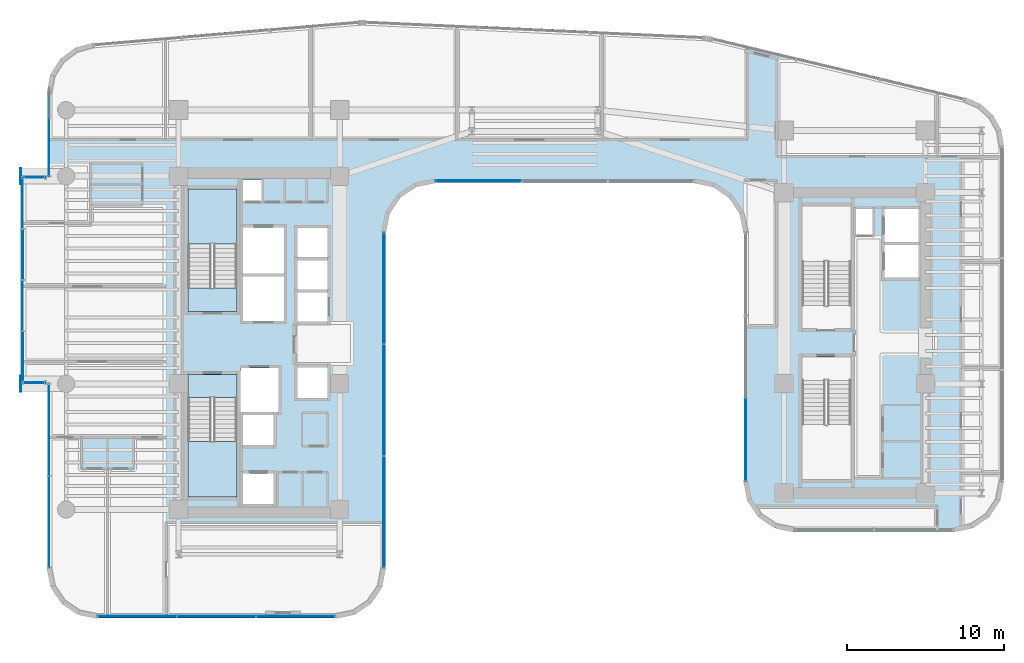
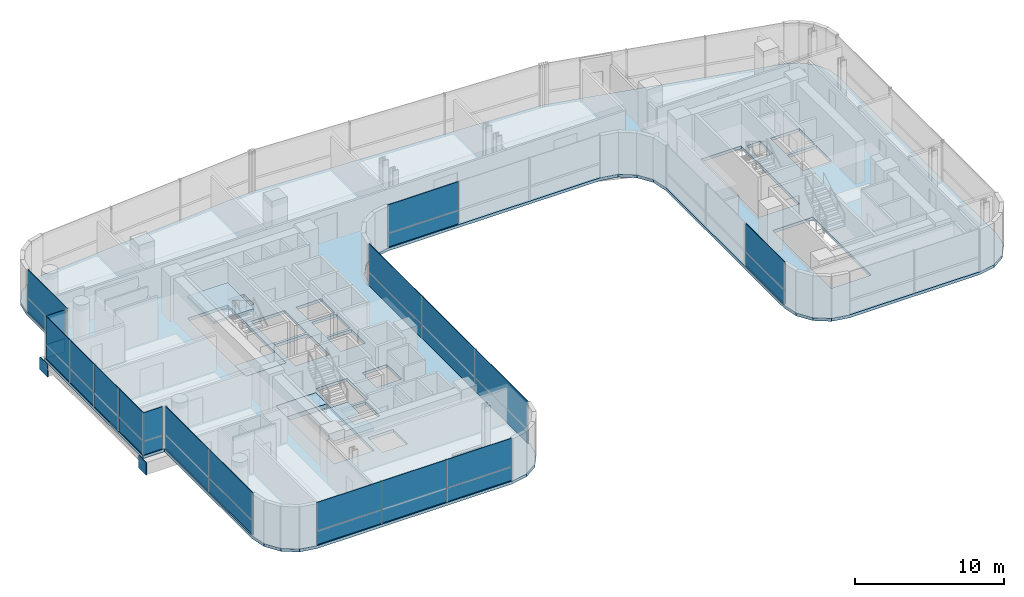
# One storey, part 24 of 35: 31 plates, 5 slabs, 11 elements without a shape of their own.
"""IFC4 building model written with IfcOpenShell, lengths in metres."""

from ifc_helpers import new_model, si_unit, direction, frame, origin, origin_2d, place, context, subcontext, project, spatial, polyline, rectangle, outline, extrude, source, transform, mapped, material, layer, layer_set, type_object, element, aggregate, save


model = new_model("IFC4")

# Units and contexts
model_context = context("Model", 3, precision=1e-05, world=origin(), true_north=direction((0.0, 1.0)))
body_context = subcontext(model_context, "Body", "Model", "MODEL_VIEW")
ifc_project = project(units=[si_unit("LENGTHUNIT", "METRE"), si_unit("AREAUNIT", "SQUARE_METRE"), si_unit("VOLUMEUNIT", "CUBIC_METRE"), si_unit("PLANEANGLEUNIT", "RADIAN"), si_unit("MASSUNIT", "GRAM", prefix="KILO")], contexts=[model_context])

# Site, building, storey
site_placement = place(None, origin())
site = spatial("IfcSite", under=ifc_project, at=site_placement, CompositionType="ELEMENT")
building_placement = place(site_placement, origin())
building = spatial("IfcBuilding", under=site, at=building_placement, Name="Valdorenza Pilgrim Sanctuary Tower", CompositionType="ELEMENT")
storey_placement = place(building_placement, frame((0.0, 0.0, 139.0)))
storey = spatial("IfcBuildingStorey", under=building, at=storey_placement, Name="L35", CompositionType="ELEMENT", Elevation=139.0)

# Slab
ifc_material_1 = material(Name="Concrete C40/50", Category="concrete")
ifc_layer_1 = layer(ifc_material_1, 0.239990234375, Name="Concrete C40/50")
ifc_layer_set_1 = layer_set([ifc_layer_1], Name="Concrete C40/50")
slab_type_1 = type_object("IfcSlabType", Name="SLAB-FLR-220", PredefinedType="FLOOR", material=ifc_layer_set_1)
slab_1_placement = place(storey_placement, frame((0.0, 0.0, -0.239990234375)))
element("IfcSlab", 1, at=slab_1_placement, inside=storey, type_object=slab_type_1, Name="L35 Structural Floor Slab 1", PredefinedType="FLOOR", context=body_context, shape_type="SweptSolid", body=[
    extrude(outline(polyline([(-30.78173828125, 17.022216796875), (-30.156494140625, 18.025390625), (-29.2099609375, 18.733154296875), (-28.071044921875, 19.049072265625), (-11.2080078125, 20.482421875), (-11.10400390625, 20.489501953125), (-10.895751953125, 20.49365234375), (10.6962890625, 19.513916015625), (10.847412109375, 19.50341796875), (10.998046875, 19.485595703125), (11.147705078125, 19.4609375), (11.2958984375, 19.42919921875), (27.344970703125, 15.587646484375), (28.323974609375, 15.17138671875), (29.1123046875, 14.45751953125), (29.623291015625, 13.5244140625), (29.800048828125, 12.4755859375), (29.800048828125, -8.800048828125), (29.556396484375, -10.024658203125), (28.86279296875, -11.062744140625), (27.82470703125, -11.75634765625), (26.60009765625, -12.0), (16.5, -12.0), (15.275390625, -11.75634765625), (14.2373046875, -11.062744140625), (13.543701171875, -10.024658203125), (13.300048828125, -8.800048828125), (13.300048828125, 7.0), (13.056396484375, 8.224609375), (12.36279296875, 9.2626953125), (11.32470703125, 9.956298828125), (10.10009765625, 10.199951171875), (-6.300048828125, 10.199951171875), (-7.524658203125, 9.956298828125), (-8.562744140625, 9.2626953125), (-9.25634765625, 8.224609375), (-9.5, 7.0), (-9.5, -14.300048828125), (-9.74365234375, -15.524658203125), (-10.437255859375, -16.562744140625), (-11.475341796875, -17.25634765625), (-12.699951171875, -17.5), (-27.800048828125, -17.5), (-29.024658203125, -17.25634765625), (-30.062744140625, -16.562744140625), (-30.75634765625, -15.524658203125), (-31.0, -14.300048828125), (-31.0, -2.60009765625), (-32.64990234375, -2.60009765625), (-32.64990234375, 10.60009765625), (-31.0, 10.60009765625), (-31.0, 15.860595703125), (-30.78173828125, 17.022216796875)]), holes=[polyline([(-16.60009765625, -10.25), (-16.60009765625, -8.300048828125), (-18.550048828125, -8.300048828125), (-18.550048828125, -10.25), (-16.60009765625, -10.25)]), polyline([(-22.050048828125, -9.800048828125), (-18.93994140625, -9.800048828125), (-18.93994140625, -3.485107421875), (-18.93994140625, -2.0), (-22.050048828125, -2.0), (-22.050048828125, -3.485107421875), (-22.050048828125, -9.800048828125)]), polyline([(-16.60009765625, -6.5), (-16.60009765625, -4.60009765625), (-18.550048828125, -4.60009765625), (-18.550048828125, -6.5), (-16.60009765625, -6.5)]), polyline([(-18.719970703125, -4.39990234375), (-16.300048828125, -4.39990234375), (-16.300048828125, -1.60009765625), (-18.719970703125, -1.60009765625), (-18.719970703125, -4.39990234375)]), polyline([(-13.179931640625, 1.35009765625), (-13.179931640625, 3.199951171875), (-15.10009765625, 3.199951171875), (-15.10009765625, 1.35009765625), (-13.179931640625, 1.35009765625)]), polyline([(-22.050048828125, 2.0), (-18.93994140625, 2.0), (-18.93994140625, 3.485107421875), (-18.93994140625, 9.800048828125), (-22.050048828125, 9.800048828125), (-22.050048828125, 3.485107421875), (-22.050048828125, 2.0)]), polyline([(-15.949951171875, 1.39990234375), (-15.949951171875, 4.22509765625), (-18.550048828125, 4.22509765625), (-18.550048828125, 1.39990234375), (-15.949951171875, 1.39990234375)]), polyline([(-18.550048828125, 4.425048828125), (-15.949951171875, 4.425048828125), (-15.949951171875, 7.35009765625), (-18.550048828125, 7.35009765625), (-18.550048828125, 4.425048828125)]), polyline([(-17.360107421875, 9.030029296875), (-17.360107421875, 10.35009765625), (-18.570068359375, 10.35009765625), (-18.570068359375, 9.030029296875), (-17.360107421875, 9.030029296875)]), polyline([(17.0, -8.699951171875), (20.110107421875, -8.699951171875), (20.110107421875, -2.385009765625), (20.110107421875, -0.89990234375), (17.0, -0.89990234375), (17.0, -2.385009765625), (17.0, -8.699951171875)]), polyline([(-13.179931640625, -3.5), (-13.179931640625, -1.550048828125), (-15.10009765625, -1.550048828125), (-15.10009765625, -3.5), (-13.179931640625, -3.5)]), polyline([(17.0, 0.89990234375), (20.110107421875, 0.89990234375), (20.110107421875, 2.385009765625), (20.110107421875, 8.699951171875), (17.0, 8.699951171875), (17.0, 2.385009765625), (17.0, 0.89990234375)]), polyline([(-13.179931640625, 3.39990234375), (-13.179931640625, 5.25), (-15.10009765625, 5.25), (-15.10009765625, 3.39990234375), (-13.179931640625, 3.39990234375)]), polyline([(22.25, 4.14990234375), (24.47998046875, 4.14990234375), (24.47998046875, 6.22509765625), (22.25, 6.22509765625), (22.25, 4.14990234375)]), polyline([(-13.179931640625, 5.449951171875), (-13.179931640625, 7.300048828125), (-15.10009765625, 7.300048828125), (-15.10009765625, 5.449951171875), (-13.179931640625, 5.449951171875)]), polyline([(22.25, 6.425048828125), (24.47998046875, 6.425048828125), (24.47998046875, 8.5), (22.25, 8.5), (22.25, 6.425048828125)]), polyline([(20.409912109375, 6.860107421875), (21.489990234375, 6.860107421875), (21.489990234375, 8.52001953125), (20.409912109375, 8.52001953125), (20.409912109375, 6.860107421875)])]), origin(), (0.0, 0.0, 1.0), 0.239990234375),
])

# Stair, slab
stair_type = type_object("IfcStairType", Name="STR-DOG-CORE", PredefinedType="HALF_TURN_STAIR", material=ifc_material_1)
stair_1_placement = place(storey_placement, origin())
stair_1 = element("IfcStair", 2, at=stair_1_placement, inside=storey, type_object=stair_type, Name="L35 ST-A1", PredefinedType="HALF_TURN_STAIR")
ifc_layer_2 = layer(ifc_material_1, 0.199951171875, Name="Concrete C40/50")
ifc_layer_set_2 = layer_set([ifc_layer_2], Name="Concrete C40/50")
slab_type_2 = type_object("IfcSlabType", Name="SLAB-STL-200", PredefinedType="LANDING", material=ifc_layer_set_2)
slab_2_placement = place(storey_placement, frame((0.0, 0.0, 1.64990234375)))
slab_2 = element("IfcSlab", 3, at=slab_2_placement, type_object=slab_type_2, Name="ST-A1 landing 1", PredefinedType="LANDING", context=body_context, shape_type="SweptSolid", body=[
    extrude(outline(polyline([(-18.93994140625, 6.280029296875), (-18.93994140625, 9.800048828125), (-22.050048828125, 9.800048828125), (-22.050048828125, 6.280029296875), (-18.93994140625, 6.280029296875)])), origin(), (0.0, 0.0, 1.0), 0.2001953125),
])
aggregate(stair_1, [slab_2])

stair_2_placement = place(storey_placement, origin())
stair_2 = element("IfcStair", 4, at=stair_2_placement, inside=storey, type_object=stair_type, Name="L35 ST-A2", PredefinedType="HALF_TURN_STAIR")
slab_3_placement = place(storey_placement, frame((0.0, 0.0, 1.64990234375)))
slab_3 = element("IfcSlab", 5, at=slab_3_placement, type_object=slab_type_2, Name="ST-A2 landing 1", PredefinedType="LANDING", context=body_context, shape_type="SweptSolid", body=[
    extrude(outline(polyline([(-22.050048828125, -6.280029296875), (-22.050048828125, -9.800048828125), (-18.93994140625, -9.800048828125), (-18.93994140625, -6.280029296875), (-22.050048828125, -6.280029296875)])), origin(), (0.0, 0.0, 1.0), 0.2001953125),
])
aggregate(stair_2, [slab_3])

# Slabs
ifc_material_2 = material(Name="Concrete C50/60", Category="concrete")
ifc_layer_3 = layer(ifc_material_2, 0.39990234375, Name="Concrete C50/60")
ifc_layer_set_3 = layer_set([ifc_layer_3], Name="Concrete C50/60")
slab_type_3 = type_object("IfcSlabType", Name="SLAB-TRF-400", PredefinedType="FLOOR", material=ifc_layer_set_3)
slab_4_placement = place(storey_placement, frame((0.0, 0.0, -0.360107421875)))
element("IfcSlab", 6, at=slab_4_placement, inside=storey, type_object=slab_type_3, Name="L35 ST-A1 Structural Stair Landing Bearing Slab", PredefinedType="FLOOR", context=body_context, shape_type="SweptSolid", body=[
    extrude(outline(polyline([(-22.050048828125, 2.0), (-18.93994140625, 2.0), (-18.93994140625, 3.485107421875), (-22.050048828125, 3.485107421875), (-22.050048828125, 2.0)])), origin(), (0.0, 0.0, 1.0), 0.360107421875),
])
slab_5_placement = place(storey_placement, frame((0.0, 0.0, -0.360107421875)))
element("IfcSlab", 7, at=slab_5_placement, inside=storey, type_object=slab_type_3, Name="L35 ST-A2 Structural Stair Landing Bearing Slab", PredefinedType="FLOOR", context=body_context, shape_type="SweptSolid", body=[
    extrude(outline(polyline([(-22.050048828125, -3.485107421875), (-18.93994140625, -3.485107421875), (-18.93994140625, -2.0), (-22.050048828125, -2.0), (-22.050048828125, -3.485107421875)])), origin(), (0.0, 0.0, 1.0), 0.360107421875),
])

# Plates
ifc_material_3 = material(Name="Steel ASTM A572 Grade 42", Category="steel")
ifc_layer_4 = layer(ifc_material_3, 0.06005859375, Name="Steel ASTM A572 Grade 42")
ifc_layer_set_4 = layer_set([ifc_layer_4], Name="Steel ASTM A572 Grade 42")
plate_type_1 = type_object("IfcPlateType", Name="PLT-CAP-60", PredefinedType="SHEET", material=ifc_layer_set_4)
shared_shape_1 = source(origin(), body_context, "Body", "SweptSolid", [
    extrude(rectangle(XDim=0.06005859375, YDim=1.0400390625, at=origin_2d()), origin(), (0.0, 0.0, 1.0), 1.0400390625),
])
for number, where, z_axis, x_axis, name in (
    (8, (-32.679931640625, 10.60009765625, -1.260009765625), (0.0, 0.0, 1.0), (1.0, 0.0, 0.0), "L35 BOX-WA-L35 Cantilever Tip End Cap N"),
    (9, (-32.679931640625, -2.60009765625, -1.260009765625), (0.0, 0.0, 1.0), (1.0, 0.0, 0.0), "L35 BOX-WA-L35 Cantilever Tip End Cap S"),
):
    element("IfcPlate", number, at=place(storey_placement, frame(where, z_axis=z_axis, x_axis=x_axis)), inside=storey, type_object=plate_type_1, Name=name, PredefinedType="SHEET", context=body_context, shape_type="MappedRepresentation", body=[
        mapped(shared_shape_1, transform((0.0, 0.0, 0.0), x_axis=(1.0, 0.0, 0.0), y_axis=(0.0, 1.0, 0.0), z_axis=(0.0, 0.0, 1.0), scale=1.0)),
    ])

# Curtain wall, plates
ifc_material_4 = material(Name="Curtain-wall IGU glazing", Category="glass")
curtain_wall_type_1 = type_object("IfcCurtainWallType", Name="CW-SYS-02", PredefinedType="NOTDEFINED", material=ifc_material_4)
curtain_wall_1_placement = place(storey_placement, origin())
curtain_wall_1 = element("IfcCurtainWall", 10, at=curtain_wall_1_placement, inside=storey, type_object=curtain_wall_type_1, Name="L35 Curtain Wall CW-L35-1-36", PredefinedType="NOTDEFINED")
ifc_material_5 = material(Name="Honed travertine limestone", Category="masonry")
ifc_layer_5 = layer(ifc_material_5, 0.050048828125, Name="Honed travertine limestone")
ifc_layer_set_5 = layer_set([ifc_layer_5], Name="Honed travertine limestone")
plate_type_2 = type_object("IfcPlateType", Name="CW-SPN-TRV", PredefinedType="USERDEFINED", material=ifc_layer_set_5)
shared_shape_2 = source(origin(), body_context, "Body", "SweptSolid", [
    extrude(rectangle(XDim=5.453857421875, YDim=0.06005859375, at=origin_2d()), origin(), (0.0, 0.0, 1.0), 1.10009765625),
])
plate_1_placement = place(storey_placement, frame((-3.573974609375, 10.31005859375, 0.010009765625), z_axis=(0.0, 0.0, 1.0), x_axis=(-1.0, 0.0, 0.0)))
plate_1 = element("IfcPlate", 11, at=plate_1_placement, type_object=plate_type_2, Name="CW-L35-1-36 Travertine Spandrel 3", ObjectType="SPANDREL", PredefinedType="USERDEFINED", context=body_context, shape_type="MappedRepresentation", body=[
    mapped(shared_shape_2, transform((0.0, 0.0, 0.0), x_axis=(1.0, 0.0, 0.0), y_axis=(0.0, 1.0, 0.0), z_axis=(0.0, 0.0, 1.0), scale=1.0)),
])
ifc_material_6 = material(Name="Ceramic-fritted low-E IGU glazing", Category="glass")
ifc_layer_6 = layer(ifc_material_6, 0.035888671875, Name="Ceramic-fritted low-E IGU glazing")
ifc_layer_set_6 = layer_set([ifc_layer_6], Name="Ceramic-fritted low-E IGU glazing")
plate_type_3 = type_object("IfcPlateType", Name="CW-GLZ-IGU", PredefinedType="USERDEFINED", material=ifc_layer_set_6)
shared_shape_3 = source(origin(), body_context, "Body", "SweptSolid", [
    extrude(rectangle(XDim=5.453857421875, YDim=0.050048828125, at=origin_2d()), origin(), (0.0, 0.0, 1.0), 2.320068359375),
])
plate_2_placement = place(storey_placement, frame((-3.573974609375, 10.31005859375, 1.1298828125), z_axis=(0.0, 0.0, 1.0), x_axis=(-1.0, 0.0, 0.0)))
plate_2 = element("IfcPlate", 12, at=plate_2_placement, type_object=plate_type_3, Name="CW-L35-1-36 Facade Panel 3", ObjectType="GLAZING", PredefinedType="USERDEFINED", context=body_context, shape_type="MappedRepresentation", body=[
    mapped(shared_shape_3, transform((0.0, 0.0, 0.0), x_axis=(1.0, 0.0, 0.0), y_axis=(0.0, 1.0, 0.0), z_axis=(0.0, 0.0, 1.0), scale=1.0)),
])
aggregate(curtain_wall_1, [plate_1, plate_2])

# Curtain wall, plate
curtain_wall_2_placement = place(storey_placement, origin())
curtain_wall_2 = element("IfcCurtainWall", 13, at=curtain_wall_2_placement, inside=storey, type_object=curtain_wall_type_1, Name="L35 Curtain Wall CW-L35-BOX-WA-L35-S", PredefinedType="NOTDEFINED")
shared_shape_4 = source(origin(), body_context, "Body", "SweptSolid", [
    extrude(rectangle(XDim=1.43994140625, YDim=0.06005859375, at=origin_2d()), origin(), (0.0, 0.0, 1.0), 1.10009765625),
])
plate_3_placement = place(storey_placement, frame((-31.840087890625, -2.52001953125, 0.010009765625), z_axis=(0.0, 0.0, 1.0), x_axis=(-1.0, 0.0, 0.0)))
plate_3 = element("IfcPlate", 14, at=plate_3_placement, type_object=plate_type_2, Name="CW-L35-BOX-WA-L35-S Travertine Spandrel 1", ObjectType="SPANDREL", PredefinedType="USERDEFINED", context=body_context, shape_type="MappedRepresentation", body=[
    mapped(shared_shape_4, transform((0.0, 0.0, 0.0), x_axis=(1.0, 0.0, 0.0), y_axis=(0.0, 1.0, 0.0), z_axis=(0.0, 0.0, 1.0), scale=1.0)),
])

curtain_wall_3_placement = place(storey_placement, origin())
curtain_wall_3 = element("IfcCurtainWall", 15, at=curtain_wall_3_placement, inside=storey, type_object=curtain_wall_type_1, Name="L35 Curtain Wall CW-L35-BOX-WA-L35-N", PredefinedType="NOTDEFINED")
plate_4_placement = place(storey_placement, frame((-31.840087890625, 10.52001953125, 0.010009765625), z_axis=(0.0, 0.0, 1.0), x_axis=(1.0, 0.0, 0.0)))
plate_4 = element("IfcPlate", 16, at=plate_4_placement, type_object=plate_type_2, Name="CW-L35-BOX-WA-L35-N Travertine Spandrel 1", ObjectType="SPANDREL", PredefinedType="USERDEFINED", context=body_context, shape_type="MappedRepresentation", body=[
    mapped(shared_shape_4, transform((0.0, 0.0, 0.0), x_axis=(1.0, 0.0, 0.0), y_axis=(0.0, 1.0, 0.0), z_axis=(0.0, 0.0, 1.0), scale=1.0)),
])

# Plate
shared_shape_5 = source(origin(), body_context, "Body", "SweptSolid", [
    extrude(rectangle(XDim=1.43994140625, YDim=0.050048828125, at=origin_2d()), origin(), (0.0, 0.0, 1.0), 2.320068359375),
])
plate_5_placement = place(storey_placement, frame((-31.840087890625, -2.52001953125, 1.1298828125), z_axis=(0.0, 0.0, 1.0), x_axis=(-1.0, 0.0, 0.0)))
plate_5 = element("IfcPlate", 17, at=plate_5_placement, type_object=plate_type_3, Name="CW-L35-BOX-WA-L35-S Facade Panel 1", ObjectType="GLAZING", PredefinedType="USERDEFINED", context=body_context, shape_type="MappedRepresentation", body=[
    mapped(shared_shape_5, transform((0.0, 0.0, 0.0), x_axis=(1.0, 0.0, 0.0), y_axis=(0.0, 1.0, 0.0), z_axis=(0.0, 0.0, 1.0), scale=1.0)),
])

aggregate(curtain_wall_2, [plate_3, plate_5])

plate_6_placement = place(storey_placement, frame((-31.840087890625, 10.52001953125, 1.1298828125), z_axis=(0.0, 0.0, 1.0), x_axis=(1.0, 0.0, 0.0)))
plate_6 = element("IfcPlate", 18, at=plate_6_placement, type_object=plate_type_3, Name="CW-L35-BOX-WA-L35-N Facade Panel 1", ObjectType="GLAZING", PredefinedType="USERDEFINED", context=body_context, shape_type="MappedRepresentation", body=[
    mapped(shared_shape_5, transform((0.0, 0.0, 0.0), x_axis=(1.0, 0.0, 0.0), y_axis=(0.0, 1.0, 0.0), z_axis=(0.0, 0.0, 1.0), scale=1.0)),
])

aggregate(curtain_wall_3, [plate_4, plate_6])

# Curtain wall, plates
curtain_wall_4_placement = place(storey_placement, origin())
curtain_wall_4 = element("IfcCurtainWall", 19, at=curtain_wall_4_placement, inside=storey, type_object=curtain_wall_type_1, Name="L35 Curtain Wall CW-L35-BOX-WA-L35-F", PredefinedType="NOTDEFINED")
shared_shape_6 = source(origin(), body_context, "Body", "SweptSolid", [
    extrude(rectangle(XDim=3.239990234375, YDim=0.06005859375, at=origin_2d()), origin(), (0.0, 0.0, 1.0), 1.10009765625),
])
plate_7_placement = place(storey_placement, frame((-32.570068359375, -0.889892578125, 0.010009765625), z_axis=(0.0, 0.0, 1.0), x_axis=(0.0, 1.0, 0.0)))
plate_7 = element("IfcPlate", 20, at=plate_7_placement, type_object=plate_type_2, Name="CW-L35-BOX-WA-L35-F Travertine Spandrel 1", ObjectType="SPANDREL", PredefinedType="USERDEFINED", context=body_context, shape_type="MappedRepresentation", body=[
    mapped(shared_shape_6, transform((0.0, 0.0, 0.0), x_axis=(1.0, 0.0, 0.0), y_axis=(0.0, 1.0, 0.0), z_axis=(0.0, 0.0, 1.0), scale=1.0)),
])
plate_8_placement = place(storey_placement, frame((-32.570068359375, 5.6298828125, 0.010009765625), z_axis=(0.0, 0.0, 1.0), x_axis=(0.0, 1.0, 0.0)))
plate_8 = element("IfcPlate", 21, at=plate_8_placement, type_object=plate_type_2, Name="CW-L35-BOX-WA-L35-F Travertine Spandrel 3", ObjectType="SPANDREL", PredefinedType="USERDEFINED", context=body_context, shape_type="MappedRepresentation", body=[
    mapped(shared_shape_6, transform((0.0, 0.0, 0.0), x_axis=(1.0, 0.0, 0.0), y_axis=(0.0, 1.0, 0.0), z_axis=(0.0, 0.0, 1.0), scale=1.0)),
])
shared_shape_7 = source(origin(), body_context, "Body", "SweptSolid", [
    extrude(rectangle(XDim=3.239990234375, YDim=0.050048828125, at=origin_2d()), origin(), (0.0, 0.0, 1.0), 2.320068359375),
])
plate_9_placement = place(storey_placement, frame((-32.570068359375, -0.889892578125, 1.1298828125), z_axis=(0.0, 0.0, 1.0), x_axis=(0.0, 1.0, 0.0)))
plate_9 = element("IfcPlate", 22, at=plate_9_placement, type_object=plate_type_3, Name="CW-L35-BOX-WA-L35-F Facade Panel 1", ObjectType="GLAZING", PredefinedType="USERDEFINED", context=body_context, shape_type="MappedRepresentation", body=[
    mapped(shared_shape_7, transform((0.0, 0.0, 0.0), x_axis=(1.0, 0.0, 0.0), y_axis=(0.0, 1.0, 0.0), z_axis=(0.0, 0.0, 1.0), scale=1.0)),
])
plate_10_placement = place(storey_placement, frame((-32.570068359375, 5.6298828125, 1.1298828125), z_axis=(0.0, 0.0, 1.0), x_axis=(0.0, 1.0, 0.0)))
plate_10 = element("IfcPlate", 23, at=plate_10_placement, type_object=plate_type_3, Name="CW-L35-BOX-WA-L35-F Facade Panel 3", ObjectType="GLAZING", PredefinedType="USERDEFINED", context=body_context, shape_type="MappedRepresentation", body=[
    mapped(shared_shape_7, transform((0.0, 0.0, 0.0), x_axis=(1.0, 0.0, 0.0), y_axis=(0.0, 1.0, 0.0), z_axis=(0.0, 0.0, 1.0), scale=1.0)),
])
shared_shape_8 = source(origin(), body_context, "Body", "SweptSolid", [
    extrude(rectangle(XDim=3.239990234375, YDim=0.050048828125, at=origin_2d()), origin(), (0.0, 0.0, 1.0), 3.43994140625),
])
plate_11_placement = place(storey_placement, frame((-32.570068359375, 2.3701171875, 0.010009765625), z_axis=(0.0, 0.0, 1.0), x_axis=(0.0, 1.0, 0.0)))
plate_11 = element("IfcPlate", 24, at=plate_11_placement, type_object=plate_type_3, Name="CW-L35-BOX-WA-L35-F Full-Height Facade Panel 2", ObjectType="GLAZING", PredefinedType="USERDEFINED", context=body_context, shape_type="MappedRepresentation", body=[
    mapped(shared_shape_8, transform((0.0, 0.0, 0.0), x_axis=(1.0, 0.0, 0.0), y_axis=(0.0, 1.0, 0.0), z_axis=(0.0, 0.0, 1.0), scale=1.0)),
])
plate_12_placement = place(storey_placement, frame((-32.570068359375, 8.889892578125, 0.010009765625), z_axis=(0.0, 0.0, 1.0), x_axis=(0.0, 1.0, 0.0)))
plate_12 = element("IfcPlate", 25, at=plate_12_placement, type_object=plate_type_3, Name="CW-L35-BOX-WA-L35-F Full-Height Facade Panel 4", ObjectType="GLAZING", PredefinedType="USERDEFINED", context=body_context, shape_type="MappedRepresentation", body=[
    mapped(shared_shape_8, transform((0.0, 0.0, 0.0), x_axis=(1.0, 0.0, 0.0), y_axis=(0.0, 1.0, 0.0), z_axis=(0.0, 0.0, 1.0), scale=1.0)),
])
aggregate(curtain_wall_4, [plate_7, plate_9, plate_11, plate_8, plate_10, plate_12])

# Curtain wall, plate
curtain_wall_type_2 = type_object("IfcCurtainWallType", Name="CW-SYS-03", PredefinedType="NOTDEFINED", material=ifc_material_4)
curtain_wall_5_placement = place(storey_placement, origin())
curtain_wall_5 = element("IfcCurtainWall", 26, at=curtain_wall_5_placement, inside=storey, type_object=curtain_wall_type_2, Name="L35 Curtain Wall CW-L35-1-31", PredefinedType="NOTDEFINED")
shared_shape_9 = source(origin(), body_context, "Body", "SweptSolid", [
    extrude(rectangle(XDim=5.24658203125, YDim=0.06005859375, at=origin_2d()), origin(), (0.0, 0.0, 1.0), 1.10009765625),
])
plate_13_placement = place(storey_placement, frame((13.409912109375, -6.156005859375, 0.010009765625), z_axis=(0.0, 0.0, 1.0), x_axis=(0.0, 1.0, 0.0)))
plate_13 = element("IfcPlate", 27, at=plate_13_placement, type_object=plate_type_2, Name="CW-L35-1-31 Travertine Spandrel 1", ObjectType="SPANDREL", PredefinedType="USERDEFINED", context=body_context, shape_type="MappedRepresentation", body=[
    mapped(shared_shape_9, transform((0.0, 0.0, 0.0), x_axis=(1.0, 0.0, 0.0), y_axis=(0.0, 1.0, 0.0), z_axis=(0.0, 0.0, 1.0), scale=1.0)),
])

# Curtain wall, plates
curtain_wall_6_placement = place(storey_placement, origin())
curtain_wall_6 = element("IfcCurtainWall", 28, at=curtain_wall_6_placement, inside=storey, type_object=curtain_wall_type_1, Name="L35 Curtain Wall CW-L35-1-41", PredefinedType="NOTDEFINED")
shared_shape_10 = source(origin(), body_context, "Body", "SweptSolid", [
    extrude(rectangle(XDim=7.080078125, YDim=0.06005859375, at=origin_2d()), origin(), (0.0, 0.0, 1.0), 1.10009765625),
])
plate_14_placement = place(storey_placement, frame((-9.610107421875, 3.460693359375, 0.010009765625), z_axis=(0.0, 0.0, 1.0), x_axis=(0.0, -1.0, 0.0)))
plate_14 = element("IfcPlate", 29, at=plate_14_placement, type_object=plate_type_2, Name="CW-L35-1-41 Travertine Spandrel 1", ObjectType="SPANDREL", PredefinedType="USERDEFINED", context=body_context, shape_type="MappedRepresentation", body=[
    mapped(shared_shape_10, transform((0.0, 0.0, 0.0), x_axis=(1.0, 0.0, 0.0), y_axis=(0.0, 1.0, 0.0), z_axis=(0.0, 0.0, 1.0), scale=1.0)),
])
plate_15_placement = place(storey_placement, frame((-9.610107421875, -10.7392578125, 0.010009765625), z_axis=(0.0, 0.0, 1.0), x_axis=(0.0, -1.0, 0.0)))
plate_15 = element("IfcPlate", 30, at=plate_15_placement, type_object=plate_type_2, Name="CW-L35-1-41 Travertine Spandrel 3", ObjectType="SPANDREL", PredefinedType="USERDEFINED", context=body_context, shape_type="MappedRepresentation", body=[
    mapped(shared_shape_10, transform((0.0, 0.0, 0.0), x_axis=(1.0, 0.0, 0.0), y_axis=(0.0, 1.0, 0.0), z_axis=(0.0, 0.0, 1.0), scale=1.0)),
])

curtain_wall_7_placement = place(storey_placement, origin())
curtain_wall_7 = element("IfcCurtainWall", 31, at=curtain_wall_7_placement, inside=storey, type_object=curtain_wall_type_1, Name="L35 Curtain Wall CW-L35-1-1S1", PredefinedType="NOTDEFINED")
shared_shape_11 = source(origin(), body_context, "Body", "SweptSolid", [
    extrude(rectangle(XDim=5.82470703125, YDim=0.06005859375, at=origin_2d()), origin(), (0.0, 0.0, 1.0), 1.10009765625),
])
plate_16_placement = place(storey_placement, frame((-30.889892578125, -11.366943359375, 0.010009765625), z_axis=(0.0, 0.0, 1.0), x_axis=(0.0, 1.0, 0.0)))
plate_16 = element("IfcPlate", 32, at=plate_16_placement, type_object=plate_type_2, Name="CW-L35-1-1S1 Travertine Spandrel 1", ObjectType="SPANDREL", PredefinedType="USERDEFINED", context=body_context, shape_type="MappedRepresentation", body=[
    mapped(shared_shape_11, transform((0.0, 0.0, 0.0), x_axis=(1.0, 0.0, 0.0), y_axis=(0.0, 1.0, 0.0), z_axis=(0.0, 0.0, 1.0), scale=1.0)),
])
shared_shape_12 = source(origin(), body_context, "Body", "SweptSolid", [
    extrude(rectangle(XDim=5.82470703125, YDim=0.050048828125, at=origin_2d()), origin(), (0.0, 0.0, 1.0), 2.320068359375),
])
plate_17_placement = place(storey_placement, frame((-30.889892578125, -11.366943359375, 1.1298828125), z_axis=(0.0, 0.0, 1.0), x_axis=(0.0, 1.0, 0.0)))
plate_17 = element("IfcPlate", 33, at=plate_17_placement, type_object=plate_type_3, Name="CW-L35-1-1S1 Facade Panel 1", ObjectType="GLAZING", PredefinedType="USERDEFINED", context=body_context, shape_type="MappedRepresentation", body=[
    mapped(shared_shape_12, transform((0.0, 0.0, 0.0), x_axis=(1.0, 0.0, 0.0), y_axis=(0.0, 1.0, 0.0), z_axis=(0.0, 0.0, 1.0), scale=1.0)),
])
shared_shape_13 = source(origin(), body_context, "Body", "SweptSolid", [
    extrude(rectangle(XDim=5.82470703125, YDim=0.050048828125, at=origin_2d()), origin(), (0.0, 0.0, 1.0), 3.43994140625),
])
plate_18_placement = place(storey_placement, frame((-30.889892578125, -5.522216796875, 0.010009765625), z_axis=(0.0, 0.0, 1.0), x_axis=(0.0, 1.0, 0.0)))
plate_18 = element("IfcPlate", 34, at=plate_18_placement, type_object=plate_type_3, Name="CW-L35-1-1S1 Full-Height Facade Panel 2", ObjectType="GLAZING", PredefinedType="USERDEFINED", context=body_context, shape_type="MappedRepresentation", body=[
    mapped(shared_shape_13, transform((0.0, 0.0, 0.0), x_axis=(1.0, 0.0, 0.0), y_axis=(0.0, 1.0, 0.0), z_axis=(0.0, 0.0, 1.0), scale=1.0)),
])
aggregate(curtain_wall_7, [plate_16, plate_17, plate_18])

curtain_wall_8_placement = place(storey_placement, origin())
curtain_wall_8 = element("IfcCurtainWall", 35, at=curtain_wall_8_placement, inside=storey, type_object=curtain_wall_type_1, Name="L35 Curtain Wall CW-L35-1-1S2", PredefinedType="NOTDEFINED")
shared_shape_14 = source(origin(), body_context, "Body", "SweptSolid", [
    extrude(rectangle(XDim=5.230224609375, YDim=0.06005859375, at=origin_2d()), origin(), (0.0, 0.0, 1.0), 1.10009765625),
])
plate_19_placement = place(storey_placement, frame((-30.889892578125, 13.22509765625, 0.010009765625), z_axis=(0.0, 0.0, 1.0), x_axis=(0.0, 1.0, 0.0)))
plate_19 = element("IfcPlate", 36, at=plate_19_placement, type_object=plate_type_2, Name="CW-L35-1-1S2 Travertine Spandrel 1", ObjectType="SPANDREL", PredefinedType="USERDEFINED", context=body_context, shape_type="MappedRepresentation", body=[
    mapped(shared_shape_14, transform((0.0, 0.0, 0.0), x_axis=(1.0, 0.0, 0.0), y_axis=(0.0, 1.0, 0.0), z_axis=(0.0, 0.0, 1.0), scale=1.0)),
])
shared_shape_15 = source(origin(), body_context, "Body", "SweptSolid", [
    extrude(rectangle(XDim=5.230224609375, YDim=0.050048828125, at=origin_2d()), origin(), (0.0, 0.0, 1.0), 2.320068359375),
])
plate_20_placement = place(storey_placement, frame((-30.889892578125, 13.22509765625, 1.1298828125), z_axis=(0.0, 0.0, 1.0), x_axis=(0.0, 1.0, 0.0)))
plate_20 = element("IfcPlate", 37, at=plate_20_placement, type_object=plate_type_3, Name="CW-L35-1-1S2 Facade Panel 1", ObjectType="GLAZING", PredefinedType="USERDEFINED", context=body_context, shape_type="MappedRepresentation", body=[
    mapped(shared_shape_15, transform((0.0, 0.0, 0.0), x_axis=(1.0, 0.0, 0.0), y_axis=(0.0, 1.0, 0.0), z_axis=(0.0, 0.0, 1.0), scale=1.0)),
])
aggregate(curtain_wall_8, [plate_19, plate_20])

# Plate
shared_shape_16 = source(origin(), body_context, "Body", "SweptSolid", [
    extrude(rectangle(XDim=5.24658203125, YDim=0.050048828125, at=origin_2d()), origin(), (0.0, 0.0, 1.0), 2.320068359375),
])
plate_21_placement = place(storey_placement, frame((13.409912109375, -6.156005859375, 1.1298828125), z_axis=(0.0, 0.0, 1.0), x_axis=(0.0, 1.0, 0.0)))
plate_21 = element("IfcPlate", 38, at=plate_21_placement, type_object=plate_type_3, Name="CW-L35-1-31 Facade Panel 1", ObjectType="GLAZING", PredefinedType="USERDEFINED", context=body_context, shape_type="MappedRepresentation", body=[
    mapped(shared_shape_16, transform((0.0, 0.0, 0.0), x_axis=(1.0, 0.0, 0.0), y_axis=(0.0, 1.0, 0.0), z_axis=(0.0, 0.0, 1.0), scale=1.0)),
])

aggregate(curtain_wall_5, [plate_13, plate_21])

shared_shape_17 = source(origin(), body_context, "Body", "SweptSolid", [
    extrude(rectangle(XDim=7.080078125, YDim=0.050048828125, at=origin_2d()), origin(), (0.0, 0.0, 1.0), 2.320068359375),
])
plate_22_placement = place(storey_placement, frame((-9.610107421875, 3.460693359375, 1.1298828125), z_axis=(0.0, 0.0, 1.0), x_axis=(0.0, -1.0, 0.0)))
plate_22 = element("IfcPlate", 39, at=plate_22_placement, type_object=plate_type_3, Name="CW-L35-1-41 Facade Panel 1", ObjectType="GLAZING", PredefinedType="USERDEFINED", context=body_context, shape_type="MappedRepresentation", body=[
    mapped(shared_shape_17, transform((0.0, 0.0, 0.0), x_axis=(1.0, 0.0, 0.0), y_axis=(0.0, 1.0, 0.0), z_axis=(0.0, 0.0, 1.0), scale=1.0)),
])

plate_23_placement = place(storey_placement, frame((-9.610107421875, -10.7392578125, 1.1298828125), z_axis=(0.0, 0.0, 1.0), x_axis=(0.0, -1.0, 0.0)))
plate_23 = element("IfcPlate", 40, at=plate_23_placement, type_object=plate_type_3, Name="CW-L35-1-41 Facade Panel 3", ObjectType="GLAZING", PredefinedType="USERDEFINED", context=body_context, shape_type="MappedRepresentation", body=[
    mapped(shared_shape_17, transform((0.0, 0.0, 0.0), x_axis=(1.0, 0.0, 0.0), y_axis=(0.0, 1.0, 0.0), z_axis=(0.0, 0.0, 1.0), scale=1.0)),
])

shared_shape_18 = source(origin(), body_context, "Body", "SweptSolid", [
    extrude(rectangle(XDim=7.080078125, YDim=0.050048828125, at=origin_2d()), origin(), (0.0, 0.0, 1.0), 3.43994140625),
])
plate_24_placement = place(storey_placement, frame((-9.610107421875, -3.63916015625, 0.010009765625), z_axis=(0.0, 0.0, 1.0), x_axis=(0.0, -1.0, 0.0)))
plate_24 = element("IfcPlate", 41, at=plate_24_placement, type_object=plate_type_3, Name="CW-L35-1-41 Full-Height Facade Panel 2", ObjectType="GLAZING", PredefinedType="USERDEFINED", context=body_context, shape_type="MappedRepresentation", body=[
    mapped(shared_shape_18, transform((0.0, 0.0, 0.0), x_axis=(1.0, 0.0, 0.0), y_axis=(0.0, 1.0, 0.0), z_axis=(0.0, 0.0, 1.0), scale=1.0)),
])

aggregate(curtain_wall_6, [plate_14, plate_22, plate_24, plate_15, plate_23])

# Curtain wall, plates
curtain_wall_9_placement = place(storey_placement, origin())
curtain_wall_9 = element("IfcCurtainWall", 42, at=curtain_wall_9_placement, inside=storey, type_object=curtain_wall_type_1, Name="L35 Curtain Wall CW-L35-1-46", PredefinedType="NOTDEFINED")
shared_shape_19 = source(origin(), body_context, "Body", "SweptSolid", [
    extrude(rectangle(XDim=5.006103515625, YDim=0.06005859375, at=origin_2d()), origin(), (0.0, 0.0, 1.0), 1.10009765625),
])
plate_25_placement = place(storey_placement, frame((-15.223876953125, -17.389892578125, 0.010009765625), z_axis=(0.0, 0.0, 1.0), x_axis=(-1.0, 0.0, 0.0)))
plate_25 = element("IfcPlate", 43, at=plate_25_placement, type_object=plate_type_2, Name="CW-L35-1-46 Travertine Spandrel 1", ObjectType="SPANDREL", PredefinedType="USERDEFINED", context=body_context, shape_type="MappedRepresentation", body=[
    mapped(shared_shape_19, transform((0.0, 0.0, 0.0), x_axis=(1.0, 0.0, 0.0), y_axis=(0.0, 1.0, 0.0), z_axis=(0.0, 0.0, 1.0), scale=1.0)),
])
plate_26_placement = place(storey_placement, frame((-25.276123046875, -17.389892578125, 0.010009765625), z_axis=(0.0, 0.0, 1.0), x_axis=(-1.0, 0.0, 0.0)))
plate_26 = element("IfcPlate", 44, at=plate_26_placement, type_object=plate_type_2, Name="CW-L35-1-46 Travertine Spandrel 3", ObjectType="SPANDREL", PredefinedType="USERDEFINED", context=body_context, shape_type="MappedRepresentation", body=[
    mapped(shared_shape_19, transform((0.0, 0.0, 0.0), x_axis=(1.0, 0.0, 0.0), y_axis=(0.0, 1.0, 0.0), z_axis=(0.0, 0.0, 1.0), scale=1.0)),
])
shared_shape_20 = source(origin(), body_context, "Body", "SweptSolid", [
    extrude(rectangle(XDim=5.006103515625, YDim=0.050048828125, at=origin_2d()), origin(), (0.0, 0.0, 1.0), 2.320068359375),
])
plate_27_placement = place(storey_placement, frame((-15.223876953125, -17.389892578125, 1.1298828125), z_axis=(0.0, 0.0, 1.0), x_axis=(-1.0, 0.0, 0.0)))
plate_27 = element("IfcPlate", 45, at=plate_27_placement, type_object=plate_type_3, Name="CW-L35-1-46 Facade Panel 1", ObjectType="GLAZING", PredefinedType="USERDEFINED", context=body_context, shape_type="MappedRepresentation", body=[
    mapped(shared_shape_20, transform((0.0, 0.0, 0.0), x_axis=(1.0, 0.0, 0.0), y_axis=(0.0, 1.0, 0.0), z_axis=(0.0, 0.0, 1.0), scale=1.0)),
])
plate_28_placement = place(storey_placement, frame((-25.276123046875, -17.389892578125, 1.1298828125), z_axis=(0.0, 0.0, 1.0), x_axis=(-1.0, 0.0, 0.0)))
plate_28 = element("IfcPlate", 46, at=plate_28_placement, type_object=plate_type_3, Name="CW-L35-1-46 Facade Panel 3", ObjectType="GLAZING", PredefinedType="USERDEFINED", context=body_context, shape_type="MappedRepresentation", body=[
    mapped(shared_shape_20, transform((0.0, 0.0, 0.0), x_axis=(1.0, 0.0, 0.0), y_axis=(0.0, 1.0, 0.0), z_axis=(0.0, 0.0, 1.0), scale=1.0)),
])
shared_shape_21 = source(origin(), body_context, "Body", "SweptSolid", [
    extrude(rectangle(XDim=5.006103515625, YDim=0.050048828125, at=origin_2d()), origin(), (0.0, 0.0, 1.0), 3.43994140625),
])
plate_29_placement = place(storey_placement, frame((-20.25, -17.389892578125, 0.010009765625), z_axis=(0.0, 0.0, 1.0), x_axis=(-1.0, 0.0, 0.0)))
plate_29 = element("IfcPlate", 47, at=plate_29_placement, type_object=plate_type_3, Name="CW-L35-1-46 Full-Height Facade Panel 2", ObjectType="GLAZING", PredefinedType="USERDEFINED", context=body_context, shape_type="MappedRepresentation", body=[
    mapped(shared_shape_21, transform((0.0, 0.0, 0.0), x_axis=(1.0, 0.0, 0.0), y_axis=(0.0, 1.0, 0.0), z_axis=(0.0, 0.0, 1.0), scale=1.0)),
])
aggregate(curtain_wall_9, [plate_25, plate_27, plate_29, plate_26, plate_28])

save(model, "model.ifc")
